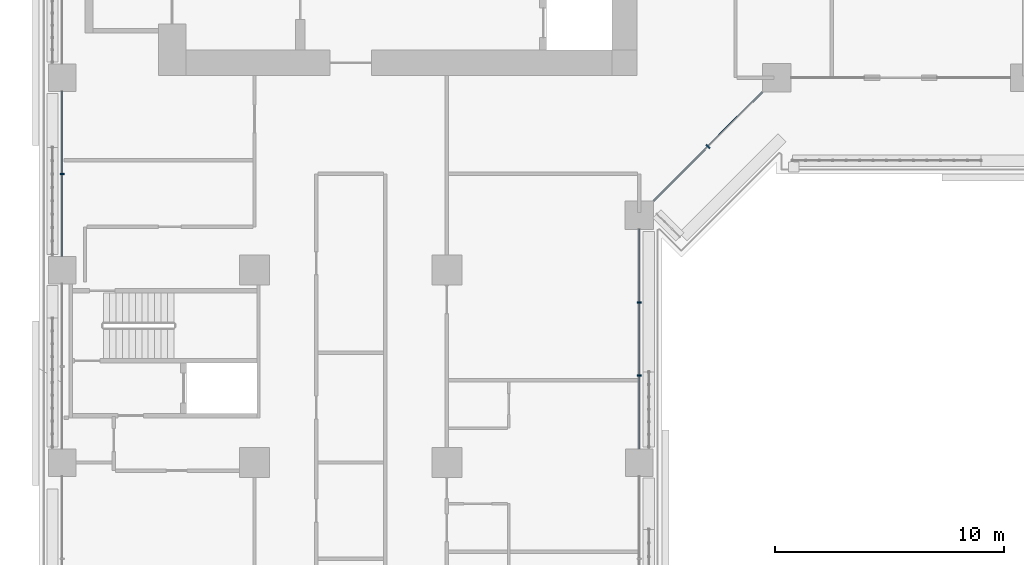
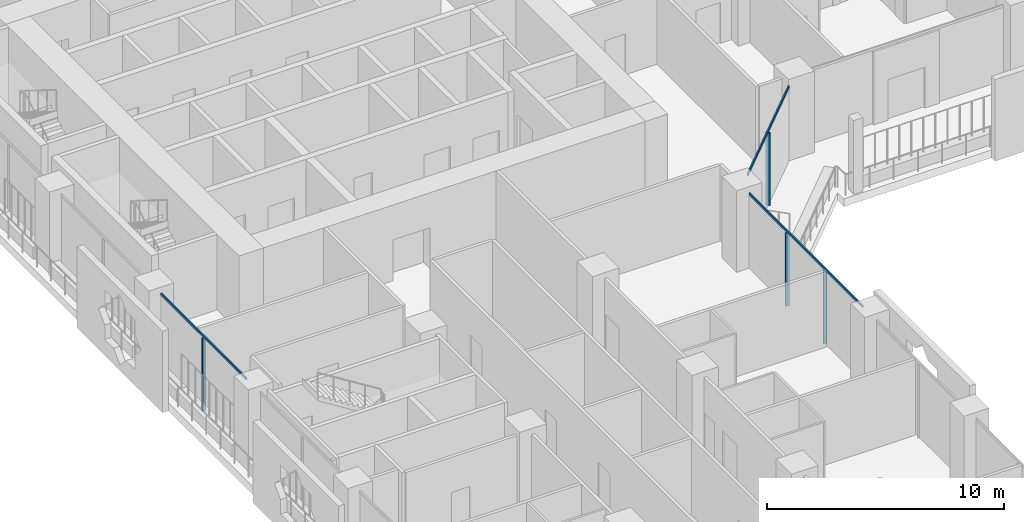
# One storey, part 4 of 29: 7 members, 3 elements without a shape of their own.
"""IFC4 building model written with IfcOpenShell, lengths in metres."""

from ifc_helpers import new_model, si_unit, direction, frame, origin, origin_2d, place, context, subcontext, project, spatial, rectangle, extrude, material, layer, layer_set, material_profile, profile_set, type_object, element, aggregate, save


model = new_model("IFC4")

# Units and contexts
model_context = context("Model", 3, precision=1e-05, world=origin(), true_north=direction((0.0, 1.0)))
body_context = subcontext(model_context, "Body", "Model", "MODEL_VIEW")
ifc_project = project(units=[si_unit("LENGTHUNIT", "METRE"), si_unit("AREAUNIT", "SQUARE_METRE"), si_unit("VOLUMEUNIT", "CUBIC_METRE"), si_unit("PLANEANGLEUNIT", "RADIAN"), si_unit("MASSUNIT", "GRAM", prefix="KILO")], contexts=[model_context])

# Site, building, storey
site_placement = place(None, origin())
site = spatial("IfcSite", under=ifc_project, at=site_placement, CompositionType="ELEMENT")
building_placement = place(site_placement, origin())
building = spatial("IfcBuilding", under=site, at=building_placement, Name="Kawkab Arch Medical Tower", CompositionType="ELEMENT")
storey_placement = place(building_placement, frame((0.0, 0.0, 60.199951171875)))
storey = spatial("IfcBuildingStorey", under=building, at=storey_placement, Name="L13", CompositionType="ELEMENT", Elevation=60.199951171875)

# Curtain wall, member
ifc_material_1 = material(Name="Bronze anodised aluminium curtain wall frame", Category="aluminium")
ifc_layer_1 = layer(ifc_material_1, 0.159912109375)
ifc_layer_set_1 = layer_set([ifc_layer_1], Name="Bronze anodised aluminium curtain wall frame")
curtain_wall_type_1 = type_object("IfcCurtainWallType", Name="CW1 ward curtain wall", PredefinedType="NOTDEFINED", material=ifc_layer_set_1)
placement = place(storey_placement, origin())
curtain_wall_1 = element("IfcCurtainWall", 1, at=placement, inside=storey, type_object=curtain_wall_type_1, Name="CW1 Ward curtain wall R01", PredefinedType="NOTDEFINED")
ifc_material_2 = material(Name="Bronze anodised aluminium curtain wall frame", Category="aluminium")
ifc_material_profile_1 = material_profile(ifc_material_2, rectangle(XDim=0.179931640625, YDim=0.06005859375, at=origin_2d()), Name="AL 60x180")
ifc_profile_set_1 = profile_set([ifc_material_profile_1], Name="Bronze anodised aluminium curtain wall frame")
member_type_1 = type_object("IfcMemberType", Name="CW1 mullion 60 x 180", PredefinedType="MULLION", material=ifc_profile_set_1)
member_1_placement = place(storey_placement, frame((0.0, -29.39990234375, 0.0), z_axis=(0.0, 0.0, 1.0), x_axis=(1.0, 0.0, 0.0)))
member_1 = element("IfcMember", 2, at=member_1_placement, type_object=member_type_1, Name="CW1 mullion 3.1", PredefinedType="MULLION", context=body_context, shape_type="SweptSolid", body=[
    extrude(rectangle(XDim=0.179931640625, YDim=0.06005859375, at=origin_2d()), origin(), (0.0, 0.0, 1.0), 3.780029296875),
])

# Curtain wall, members
curtain_wall_2 = element("IfcCurtainWall", 3, at=placement, inside=storey, type_object=curtain_wall_type_1, Name="CW1 Ward curtain wall R05", PredefinedType="NOTDEFINED")
member_2_placement = place(storey_placement, frame((25.199951171875, -38.208251953125, 0.0), z_axis=(0.0, 0.0, 1.0), x_axis=(-1.0, 0.0, 0.0)))
member_2 = element("IfcMember", 4, at=member_2_placement, type_object=member_type_1, Name="CW1 mullion 4.1", PredefinedType="MULLION", context=body_context, shape_type="SweptSolid", body=[
    extrude(rectangle(XDim=0.179931640625, YDim=0.06005859375, at=origin_2d()), origin(), (0.0, 0.0, 1.0), 3.780029296875),
])
member_3_placement = place(storey_placement, frame((25.199951171875, -35.0166015625, 0.0), z_axis=(0.0, 0.0, 1.0), x_axis=(-1.0, 0.0, 0.0)))
member_3 = element("IfcMember", 5, at=member_3_placement, type_object=member_type_1, Name="CW1 mullion 4.2", PredefinedType="MULLION", context=body_context, shape_type="SweptSolid", body=[
    extrude(rectangle(XDim=0.179931640625, YDim=0.06005859375, at=origin_2d()), origin(), (0.0, 0.0, 1.0), 3.780029296875),
])

# Member
ifc_material_3 = material(Name="Bronze anodised aluminium curtain wall frame", Category="aluminium")
ifc_material_profile_2 = material_profile(ifc_material_3, rectangle(XDim=0.06005859375, YDim=0.1201171875, at=origin_2d()), Name="AL 60x120")
ifc_profile_set_2 = profile_set([ifc_material_profile_2], Name="Bronze anodised aluminium curtain wall frame")
member_type_2 = type_object("IfcMemberType", Name="CW1 transom 120 x 60", PredefinedType="USERDEFINED", material=ifc_profile_set_2)
member_4_placement = place(storey_placement, frame((0.0, -25.800048828125, 3.840087890625), z_axis=(0.0, -1.0, 0.0), x_axis=(1.0, 0.0, 0.0)))
member_4 = element("IfcMember", 6, at=member_4_placement, type_object=member_type_2, Name="CW1 transom 3", ObjectType="TRANSOM", PredefinedType="USERDEFINED", context=body_context, shape_type="SweptSolid", body=[
    extrude(rectangle(XDim=0.06005859375, YDim=0.1201171875, at=origin_2d()), origin(), (0.0, 0.0, 1.0), 7.199951171875),
])

aggregate(curtain_wall_1, [member_4, member_1])

member_5_placement = place(storey_placement, frame((25.199951171875, -41.39990234375, 3.840087890625), z_axis=(0.0, 1.0, 0.0), x_axis=(-1.0, 0.0, 0.0)))
member_5 = element("IfcMember", 7, at=member_5_placement, type_object=member_type_2, Name="CW1 transom 4", ObjectType="TRANSOM", PredefinedType="USERDEFINED", context=body_context, shape_type="SweptSolid", body=[
    extrude(rectangle(XDim=0.06005859375, YDim=0.1201171875, at=origin_2d()), origin(), (0.0, 0.0, 1.0), 9.574951171875),
])

aggregate(curtain_wall_2, [member_5, member_2, member_3])

# Curtain wall, members
ifc_material_4 = material(Name="Bronze anodised aluminium curtain wall frame", Category="aluminium")
ifc_layer_2 = layer(ifc_material_4, 0.159912109375)
ifc_layer_set_2 = layer_set([ifc_layer_2], Name="Bronze anodised aluminium curtain wall frame")
curtain_wall_type_2 = type_object("IfcCurtainWallType", Name="CW2 chamfer curtain wall", PredefinedType="NOTDEFINED", material=ifc_layer_set_2)
curtain_wall_3 = element("IfcCurtainWall", 8, at=placement, inside=storey, type_object=curtain_wall_type_2, Name="CW2 Chamfer curtain wall R06", PredefinedType="NOTDEFINED")
ifc_material_5 = material(Name="Bronze anodised aluminium curtain wall frame", Category="aluminium")
ifc_material_profile_3 = material_profile(ifc_material_5, rectangle(XDim=0.199951171875, YDim=0.06005859375, at=origin_2d()), Name="AL 60x200")
ifc_profile_set_3 = profile_set([ifc_material_profile_3], Name="Bronze anodised aluminium curtain wall frame")
member_type_3 = type_object("IfcMemberType", Name="CW2 mullion 60 x 200", PredefinedType="MULLION", material=ifc_profile_set_3)
member_6_placement = place(storey_placement, frame((28.199951171875, -28.199951171875, 0.0), z_axis=(0.0, 0.0, 1.0), x_axis=(-0.707106781187, 0.707106781187, 0.0)))
member_6 = element("IfcMember", 9, at=member_6_placement, type_object=member_type_3, Name="CW2 mullion 1.1", PredefinedType="MULLION", context=body_context, shape_type="SweptSolid", body=[
    extrude(rectangle(XDim=0.199951171875, YDim=0.06005859375, at=origin_2d()), origin(), (0.0, 0.0, 1.0), 3.760009765625),
])
ifc_material_6 = material(Name="Bronze anodised aluminium curtain wall frame", Category="aluminium")
ifc_material_profile_4 = material_profile(ifc_material_6, rectangle(XDim=0.06005859375, YDim=0.139892578125, at=origin_2d()), Name="AL 60x140")
ifc_profile_set_4 = profile_set([ifc_material_profile_4], Name="Bronze anodised aluminium curtain wall frame")
member_type_4 = type_object("IfcMemberType", Name="CW2 transom 140 x 60", PredefinedType="USERDEFINED", material=ifc_profile_set_4)
member_7_placement = place(storey_placement, frame((25.824951171875, -30.574951171875, 3.830078125), z_axis=(0.707106781187, 0.707106781187, 0.0), x_axis=(-0.707106781187, 0.707106781187, 0.0)))
member_7 = element("IfcMember", 10, at=member_7_placement, type_object=member_type_4, Name="CW2 transom 1", ObjectType="TRANSOM", PredefinedType="USERDEFINED", context=body_context, shape_type="SweptSolid", body=[
    extrude(rectangle(XDim=0.06005859375, YDim=0.139892578125, at=origin_2d()), origin(), (0.0, 0.0, 1.0), 6.717529296875),
])
aggregate(curtain_wall_3, [member_7, member_6])

save(model, "model.ifc")
